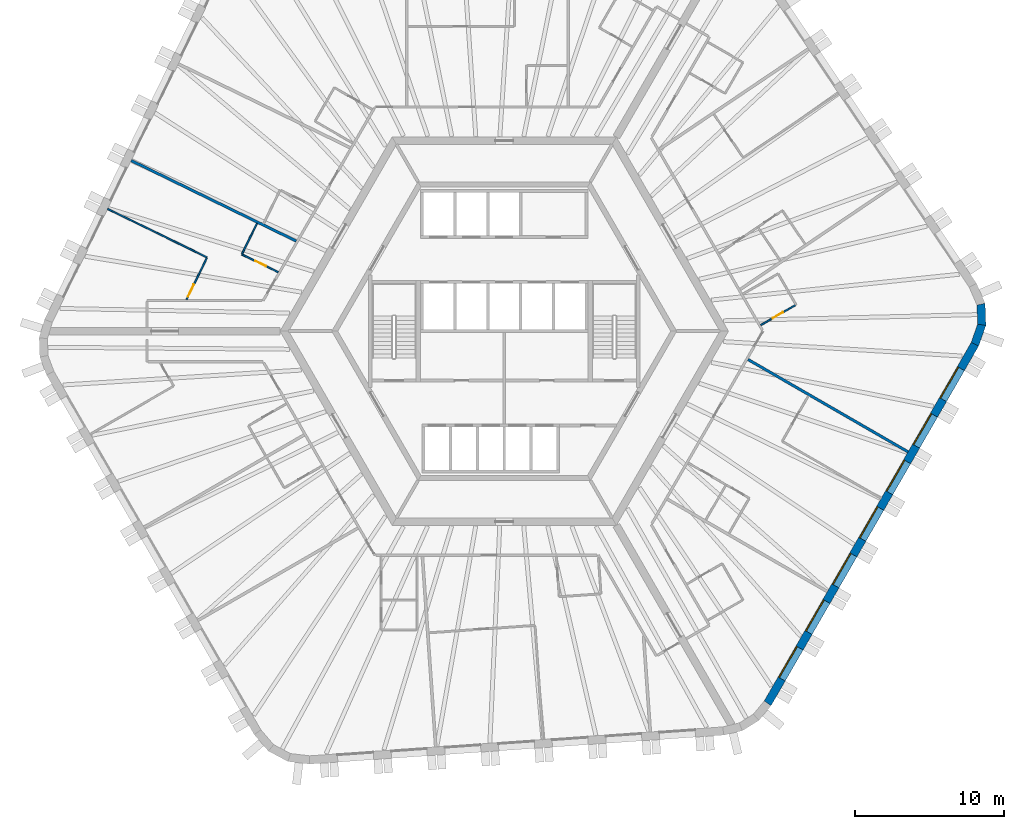
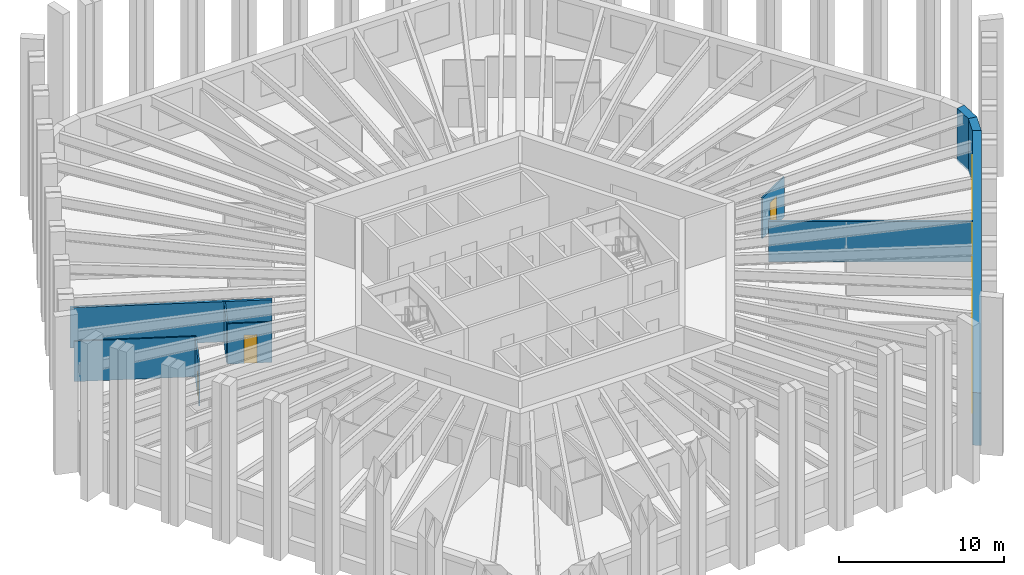
# One storey, part 6 of 11: 10 walls, 7 windows, 3 doors, 10 openings.
"""IFC4 building model written with IfcOpenShell, lengths in metres."""

import ifcopenshell
import ifcopenshell.guid

model = None  # the IFC model being written
_history = None  # IfcOwnerHistory: only IFC2X3 demands one
_inside = {}  # id of a spatial element -> (the spatial element, [elements in it])
_under = {}  # id of a project, library or spatial element -> (it, [spatial elements below it])
_declared = {}  # id of a project -> (the project, [libraries it declares])
_typed = {}  # id of a type object -> (the type object, [elements of that type])
_made_of = {}  # id of a material, layer set ... -> (it, [elements and type objects made of it])


def new_model(schema):
    """Start an empty IFC model of exactly this schema.

    Asked for "IFC4X3", IfcOpenShell would pick the latest addendum, in which some entities
    have other attributes; the version numbers below select the first issue.
    IFC2X3 requires an IfcOwnerHistory on every rooted entity: one is made here for all.
    """
    global model, _history
    if schema == "IFC4X3":
        model = ifcopenshell.file(schema_version=(4, 3, 0, 0))
    else:
        model = ifcopenshell.file(schema=schema)
    _inside.clear()
    _under.clear()
    _declared.clear()
    _typed.clear()
    _made_of.clear()
    _history = None
    if model.schema == "IFC2X3":
        org = make("IfcOrganization", Name="unknown")
        user = make(
            "IfcPersonAndOrganization",
            ThePerson=make("IfcPerson", FamilyName="unknown"),
            TheOrganization=org,
        )
        app = make(
            "IfcApplication",
            ApplicationDeveloper=org,
            Version="unknown",
            ApplicationFullName="unknown",
            ApplicationIdentifier="unknown",
        )
        _history = make(
            "IfcOwnerHistory",
            OwningUser=user,
            OwningApplication=app,
            ChangeAction="ADDED",
            CreationDate=0,
        )
    return model


def make(cls, **values):
    """One entity of the class cls with the attributes given. An attribute that is None is left unset."""
    return model.create_entity(
        cls, **{name: value for name, value in values.items() if value is not None}
    )


def rooted(cls, **values):
    """An entity with a GlobalId (a new one), such as an element, a storey or a relation."""
    return make(cls, GlobalId=ifcopenshell.guid.new(), OwnerHistory=_history, **values)


def si_unit(unit_type, name, prefix=None):
    """IfcSIUnit, for example si_unit("LENGTHUNIT", "METRE", prefix="MILLI")."""
    return make("IfcSIUnit", UnitType=unit_type, Prefix=prefix, Name=name)


def assignment(units):
    """IfcUnitAssignment: the units of a project."""
    return None if units is None else make("IfcUnitAssignment", Units=units)


def point(xyz):
    """IfcCartesianPoint."""
    return None if xyz is None else make("IfcCartesianPoint", Coordinates=xyz)


def direction(xyz):
    """IfcDirection."""
    return None if xyz is None else make("IfcDirection", DirectionRatios=xyz)


def frame(location, z_axis=None, x_axis=None):
    """IfcAxis2Placement3D, a coordinate frame: its origin and axes. An axis left out is left unset."""
    return make(
        "IfcAxis2Placement3D",
        Location=point(location),
        Axis=direction(z_axis),
        RefDirection=direction(x_axis),
    )


def frame_2d(location, x_axis=None):
    """IfcAxis2Placement2D, a coordinate frame in the plane: its origin and x axis."""
    return make(
        "IfcAxis2Placement2D", Location=point(location), RefDirection=direction(x_axis)
    )


def origin():
    """The frame at (0, 0, 0) with its axes left unset."""
    return frame((0.0, 0.0, 0.0))


def place(relative_to, where):
    """IfcLocalPlacement: puts the frame where relative to a parent placement (None: the world)."""
    return make(
        "IfcLocalPlacement", PlacementRelTo=relative_to, RelativePlacement=where
    )


def context(
    kind, dimensions, precision=None, world=None, true_north=None, identifier=None
):
    """IfcGeometricRepresentationContext, for example the 3D "Model" context."""
    return make(
        "IfcGeometricRepresentationContext",
        ContextIdentifier=identifier,
        ContextType=kind,
        CoordinateSpaceDimension=dimensions,
        Precision=precision,
        WorldCoordinateSystem=world,
        TrueNorth=true_north,
    )


def subcontext(parent, identifier, kind, view, scale=None):
    """IfcGeometricRepresentationSubContext, for example "Body" below "Model"."""
    return make(
        "IfcGeometricRepresentationSubContext",
        ContextIdentifier=identifier,
        ContextType=kind,
        ParentContext=parent,
        TargetScale=scale,
        TargetView=view,
    )


def project(units=None, contexts=None):
    """IfcProject with its units and contexts."""
    return rooted(
        "IfcProject",
        Name="project",
        RepresentationContexts=contexts,
        UnitsInContext=assignment(units),
    )


def spatial(cls, under=None, at=None, **own):
    """A site, building, storey or space (cls), placed at a placement, below another one or the project."""
    s = rooted(cls, ObjectPlacement=at, **own)
    if under is not None:
        _under.setdefault(under.id(), (under, []))[1].append(s)
    return s


def polyline(points):
    """IfcPolyline through the points."""
    return make("IfcPolyline", Points=[point(p) for p in points])


def profile(cls, at=None, kind="AREA", **sizes):
    """A parametric profile (cls). Its sizes go by their IFC names, for example OverallWidth=200.0."""
    return make(cls, ProfileType=kind, Position=at, **sizes)


def rectangle(**sizes):
    """IfcRectangleProfileDef."""
    return profile("IfcRectangleProfileDef", **sizes)


def outline(outer, holes=None, kind="AREA"):
    """IfcArbitraryClosedProfileDef: a profile drawn as a closed curve; with holes, ...WithVoids."""
    if holes is None:
        return make("IfcArbitraryClosedProfileDef", ProfileType=kind, OuterCurve=outer)
    return make(
        "IfcArbitraryProfileDefWithVoids",
        ProfileType=kind,
        OuterCurve=outer,
        InnerCurves=holes,
    )


def extrude(swept, where, along, depth):
    """IfcExtrudedAreaSolid: the profile swept, set in the frame where, extruded along a direction by depth."""
    return make(
        "IfcExtrudedAreaSolid",
        SweptArea=swept,
        Position=where,
        ExtrudedDirection=direction(along),
        Depth=depth,
    )


def shape(context_of_items, identifier, shape_type, items):
    """IfcShapeRepresentation: the items that make up one representation, for example the "Body"."""
    return make(
        "IfcShapeRepresentation",
        ContextOfItems=context_of_items,
        RepresentationIdentifier=identifier,
        RepresentationType=shape_type,
        Items=items,
    )


def material(Name=None, Category=None):
    """IfcMaterial."""
    return make("IfcMaterial", Name=Name, Category=Category)


def layer(
    of_material, thickness, ventilated=None, Name=None, Category=None, Priority=None
):
    """IfcMaterialLayer: one layer of a wall or slab, of a material (None: an air gap)."""
    return make(
        "IfcMaterialLayer",
        Material=of_material,
        LayerThickness=thickness,
        IsVentilated=ventilated,
        Name=Name,
        Category=Category,
        Priority=Priority,
    )


def layer_set(layers, Name=None):
    """IfcMaterialLayerSet."""
    return make("IfcMaterialLayerSet", MaterialLayers=layers, LayerSetName=Name)


def made_of(thing, what):
    """Note that an element or type object is made of a material, layer set ...; save() writes the relation."""
    if what is not None:
        _made_of.setdefault(what.id(), (what, []))[1].append(thing)
    return thing


def type_object(cls, material=None, **own):
    """A type object (cls), such as IfcWallType, which elements share."""
    return made_of(rooted(cls, **own), material)


def element(
    cls,
    number,
    at=None,
    inside=None,
    cuts=None,
    type_object=None,
    material=None,
    context=None,
    identifier="Body",
    shape_type=None,
    held_by="IfcProductDefinitionShape",
    body=None,
    shapes=None,
    **own,
):
    """One element of the class cls, such as IfcWall. Its Tag is "e" and its number.

    at: its placement. inside: the storey or other place that contains it. cuts: it is an
    opening in that element (IfcRelVoidsElement). A single representation is given by context,
    identifier, shape_type and body (its items); several are given by shapes. held_by: the class
    of the entity that holds the representations. save() writes the other relations.
    """
    e = rooted(cls, Tag="e%d" % number, ObjectPlacement=at, **own)
    if body is not None:
        shapes = [shape(context, identifier, shape_type, body)]
    if shapes is not None:
        e.Representation = make(held_by, Representations=shapes)
    if inside is not None:
        _inside.setdefault(inside.id(), (inside, []))[1].append(e)
    if cuts is not None:
        rooted(
            "IfcRelVoidsElement", RelatingBuildingElement=cuts, RelatedOpeningElement=e
        )
    if type_object is not None:
        _typed.setdefault(type_object.id(), (type_object, []))[1].append(e)
    return made_of(e, material)


def fill(opening, filler):
    """IfcRelFillsElement: the door or window that sits in an opening."""
    return rooted(
        "IfcRelFillsElement",
        RelatingOpeningElement=opening,
        RelatedBuildingElement=filler,
    )


def aggregate(whole, parts):
    """IfcRelAggregates: a whole, such as a stair, and the parts it consists of."""
    return rooted("IfcRelAggregates", RelatingObject=whole, RelatedObjects=parts)


def save(model, path):
    """Write the relations noted so far, then the file.

    IfcRelAggregates (storeys below a building ...), IfcRelContainedInSpatialStructure (elements
    in a storey), IfcRelDefinesByType, IfcRelAssociatesMaterial and IfcRelDeclares: one each for
    every whole, place, type object, material and project.
    """
    for whole, parts in _under.values():
        aggregate(whole, parts)
    for where, things in _inside.values():
        rooted(
            "IfcRelContainedInSpatialStructure",
            RelatedElements=things,
            RelatingStructure=where,
        )
    for kind, things in _typed.values():
        rooted("IfcRelDefinesByType", RelatedObjects=things, RelatingType=kind)
    for what, things in _made_of.values():
        rooted("IfcRelAssociatesMaterial", RelatedObjects=things, RelatingMaterial=what)
    for by, libraries in _declared.values():
        rooted("IfcRelDeclares", RelatingContext=by, RelatedDefinitions=libraries)
    model.write(path)


model = new_model("IFC4")

# Units and contexts
model_context = context("Model", 3, precision=1e-05, world=origin(), true_north=direction((0.0, 1.0)))
body_context = subcontext(model_context, "Body", "Model", "MODEL_VIEW")
ifc_project = project(units=[si_unit("LENGTHUNIT", "METRE"), si_unit("AREAUNIT", "SQUARE_METRE"), si_unit("VOLUMEUNIT", "CUBIC_METRE"), si_unit("PLANEANGLEUNIT", "RADIAN"), si_unit("MASSUNIT", "GRAM", prefix="KILO")], contexts=[model_context])

# Site, building, storey
site_placement = place(None, origin())
site = spatial("IfcSite", under=ifc_project, at=site_placement, CompositionType="ELEMENT")
building_placement = place(site_placement, origin())
building = spatial("IfcBuilding", under=site, at=building_placement, Name="Tarnside Tower", CompositionType="ELEMENT")
storey_placement = place(building_placement, frame((0.0, 0.0, 183.89990234375)))
storey = spatial("IfcBuildingStorey", under=building, at=storey_placement, Name="L43", CompositionType="ELEMENT", Elevation=183.89990234375)

# Wall, opening, door
ifc_material_1 = material(Name="Gypsum board partition on steel studs", Category="steel")
ifc_layer_1 = layer(ifc_material_1, 0.10009765625)
ifc_layer_set_1 = layer_set([ifc_layer_1], Name="Bathroom wall 100")
wall_type_1 = type_object("IfcWallType", Name="Bathroom wall 100", PredefinedType="PARTITIONING", material=ifc_layer_set_1)
wall_1_placement = place(storey_placement, frame((-15.127197265625, 3.948974609375, 0.0), z_axis=(0.0, 0.0, 1.0), x_axis=(-0.898788314205, 0.438382899128, 0.0)))
wall_1 = element("IfcWall", 1, at=wall_1_placement, inside=storey, type_object=wall_type_1, Name="Bathroom wall 14073", PredefinedType="PARTITIONING", context=body_context, shape_type="SweptSolid", body=[
    extrude(rectangle(XDim=2.716064453125, YDim=0.10009765625, at=frame_2d((1.35791015625, 0.0))), origin(), (0.0, 0.0, 1.0), 2.98779296875),
])
opening_1_placement = place(wall_1_placement, frame((0.916015625, 0.0, 0.0)))
opening_1 = element("IfcOpeningElement", 2, at=opening_1_placement, cuts=wall_1, Name="Opening D-B1", PredefinedType="OPENING", context=body_context, shape_type="SweptSolid", body=[
    extrude(rectangle(XDim=0.800048828125, YDim=2.10009765625, at=frame_2d((0.39990234375, 1.050048828125))), frame((0.0, 0.06005859375, 0.0), z_axis=(0.0, -1.0, 0.0), x_axis=(1.0, 0.0, 0.0)), (0.0, 0.0, 1.0), 0.1201171875),
])
ifc_material_2 = material(Name="Timber door leaf", Category="wood")
door_type_1 = type_object("IfcDoorType", Name="Bathroom door 800", OperationType="NOTDEFINED", PredefinedType="DOOR", material=ifc_material_2)
door_1_placement = place(opening_1_placement, origin())
door_1 = element("IfcDoor", 3, at=door_1_placement, inside=storey, type_object=door_type_1, Name="Bathroom door 14011", OperationType="SINGLE_SWING_RIGHT", OverallHeight=2.10009765625, OverallWidth=0.800048828125, PredefinedType="DOOR", context=body_context, shape_type="SweptSolid", body=[
    extrude(rectangle(XDim=0.800048828125, YDim=2.10009765625, at=frame_2d((0.39990234375, 1.050048828125))), frame((0.0, 0.02490234375, 0.0), z_axis=(0.0, -1.0, 0.0), x_axis=(1.0, 0.0, 0.0)), (0.0, 0.0, 1.0), 0.050048828125),
])
fill(opening_1, door_1)

# Wall
wall_2_placement = place(storey_placement, frame((-17.54638671875, 5.1845703125, 0.0), z_axis=(0.0, 0.0, 1.0), x_axis=(0.438376807268, 0.898791285477, 0.0)))
element("IfcWall", 4, at=wall_2_placement, inside=storey, type_object=wall_type_1, Name="Bathroom wall 14074", PredefinedType="PARTITIONING", context=body_context, shape_type="SweptSolid", body=[
    extrude(rectangle(XDim=2.260009765625, YDim=0.10009765625, at=frame_2d((1.1298828125, 0.0))), origin(), (0.0, 0.0, 1.0), 2.98779296875),
])

# Wall, opening, door
wall_3_placement = place(storey_placement, frame((19.489501953125, 1.743408203125, 0.0), z_axis=(0.0, 0.0, 1.0), x_axis=(-0.866004723184, -0.50003581814, 0.0)))
wall_3 = element("IfcWall", 5, at=wall_3_placement, inside=storey, type_object=wall_type_1, Name="Bathroom wall 14116", PredefinedType="PARTITIONING", context=body_context, shape_type="SweptSolid", body=[
    extrude(rectangle(XDim=2.675048828125, YDim=0.10009765625, at=frame_2d((1.33740234375, 0.0))), origin(), (0.0, 0.0, 1.0), 2.98779296875),
])
opening_2_placement = place(wall_3_placement, frame((0.949951171875, 0.0, 0.0)))
opening_2 = element("IfcOpeningElement", 6, at=opening_2_placement, cuts=wall_3, Name="Opening D-B1", PredefinedType="OPENING", context=body_context, shape_type="SweptSolid", body=[
    extrude(rectangle(XDim=0.800048828125, YDim=2.10009765625, at=frame_2d((0.39990234375, 1.050048828125))), frame((0.0, 0.06005859375, 0.0), z_axis=(0.0, -1.0, 0.0), x_axis=(1.0, 0.0, 0.0)), (0.0, 0.0, 1.0), 0.1201171875),
])
door_2_placement = place(opening_2_placement, origin())
door_2 = element("IfcDoor", 7, at=door_2_placement, inside=storey, type_object=door_type_1, Name="Bathroom door 14032", OperationType="SINGLE_SWING_RIGHT", OverallHeight=2.10009765625, OverallWidth=0.800048828125, PredefinedType="DOOR", context=body_context, shape_type="SweptSolid", body=[
    extrude(rectangle(XDim=0.800048828125, YDim=2.10009765625, at=frame_2d((0.39990234375, 1.050048828125))), frame((0.0, 0.02490234375, 0.0), z_axis=(0.0, -1.0, 0.0), x_axis=(1.0, 0.0, 0.0)), (0.0, 0.0, 1.0), 0.050048828125),
])
fill(opening_2, door_2)

# Walls
ifc_layer_2 = layer(ifc_material_1, 0.179931640625)
ifc_layer_set_2 = layer_set([ifc_layer_2], Name="Demising wall 180 EI 60")
wall_type_2 = type_object("IfcWallType", Name="Demising wall 180 EI 60", PredefinedType="PARTITIONING", material=ifc_layer_set_2)
wall_4_placement = place(storey_placement, frame((-24.970947265625, 11.420166015625, 0.0), z_axis=(0.0, 0.0, 1.0), x_axis=(0.898797462081, -0.438364143329, 0.0)))
element("IfcWall", 8, at=wall_4_placement, inside=storey, type_object=wall_type_2, Name="Demising wall 14070", PredefinedType="PARTITIONING", context=body_context, shape_type="SweptSolid", body=[
    extrude(rectangle(XDim=12.29052734375, YDim=0.179931640625, at=frame_2d((6.145263671875, 0.0))), origin(), (0.0, 0.0, 1.0), 2.98779296875),
])
wall_5_placement = place(storey_placement, frame((27.03125, -8.080322265625, 0.0), z_axis=(0.0, 0.0, 1.0), x_axis=(-0.866024931941, 0.500000817256, 0.0)))
element("IfcWall", 9, at=wall_5_placement, inside=storey, type_object=wall_type_2, Name="Demising wall 14111", PredefinedType="PARTITIONING", context=body_context, shape_type="SweptSolid", body=[
    extrude(rectangle(XDim=12.375, YDim=0.179931640625, at=frame_2d((6.1875, 0.0))), origin(), (0.0, 0.0, 1.0), 2.98779296875),
])
ifc_layer_3 = layer(ifc_material_1, 0.10009765625)
ifc_layer_set_3 = layer_set([ifc_layer_3], Name="Partition 100")
wall_type_3 = type_object("IfcWallType", Name="Partition 100", PredefinedType="PARTITIONING", material=ifc_layer_set_3)
wall_6_placement = place(storey_placement, frame((-26.549072265625, 8.1845703125, 0.0), z_axis=(0.0, 0.0, 1.0), x_axis=(0.898794104644, -0.438371027163, 0.0)))
element("IfcWall", 10, at=wall_6_placement, inside=storey, type_object=wall_type_3, Name="Partition wall 14075", PredefinedType="PARTITIONING", context=body_context, shape_type="SweptSolid", body=[
    extrude(rectangle(XDim=7.406494140625, YDim=0.10009765625, at=frame_2d((3.703125, 0.0))), origin(), (0.0, 0.0, 1.0), 2.98779296875),
])

# Wall, opening, door
wall_7_placement = place(storey_placement, frame((-19.913818359375, 4.892822265625, 0.0), z_axis=(0.0, 0.0, 1.0), x_axis=(-0.438408012527, -0.898776064741, 0.0)))
wall_7 = element("IfcWall", 11, at=wall_7_placement, inside=storey, type_object=wall_type_3, Name="Partition wall 14076", PredefinedType="PARTITIONING", context=body_context, shape_type="SweptSolid", body=[
    extrude(rectangle(XDim=3.07958984375, YDim=0.10009765625, at=frame_2d((1.539794921875, 0.0))), origin(), (0.0, 0.0, 1.0), 2.98779296875),
])
opening_3_placement = place(wall_7_placement, frame((1.9794921875, 0.0, 0.0)))
opening_3 = element("IfcOpeningElement", 12, at=opening_3_placement, cuts=wall_7, Name="Opening D-I1", PredefinedType="OPENING", context=body_context, shape_type="SweptSolid", body=[
    extrude(rectangle(XDim=0.89990234375, YDim=2.10009765625, at=frame_2d((0.449951171875, 1.050048828125))), frame((0.0, 0.06005859375, 0.0), z_axis=(0.0, -1.0, 0.0), x_axis=(1.0, 0.0, 0.0)), (0.0, 0.0, 1.0), 0.1201171875),
])
door_type_2 = type_object("IfcDoorType", Name="Internal door 900", OperationType="NOTDEFINED", PredefinedType="DOOR", material=ifc_material_2)
door_3_placement = place(opening_3_placement, origin())
door_3 = element("IfcDoor", 13, at=door_3_placement, inside=storey, type_object=door_type_2, Name="Internal door 14012", OperationType="SINGLE_SWING_LEFT", OverallHeight=2.10009765625, OverallWidth=0.89990234375, PredefinedType="DOOR", context=body_context, shape_type="SweptSolid", body=[
    extrude(rectangle(XDim=0.89990234375, YDim=2.10009765625, at=frame_2d((0.449951171875, 1.050048828125))), frame((0.0, 0.02490234375, 0.0), z_axis=(0.0, -1.0, 0.0), x_axis=(1.0, 0.0, 0.0)), (0.0, 0.0, 1.0), 0.050048828125),
])
fill(opening_3, door_3)

# Wall, openings, windows
ifc_material_3 = material(Name="Facing brick", Category="masonry")
ifc_layer_4 = layer(ifc_material_3, 0.10205078125)
ifc_material_4 = material(Name="Concrete C60/75 precast", Category="concrete")
ifc_layer_5 = layer(ifc_material_4, 0.347900390625)
ifc_material_5 = material(Name="Mineral wool insulation")
ifc_layer_6 = layer(ifc_material_5, 0.10009765625)
ifc_layer_set_4 = layer_set([ifc_layer_4, ifc_layer_5, ifc_layer_6], Name="Tube wall 550 brick faced")
wall_type_4 = type_object("IfcWallType", Name="Tube wall 550 brick faced", PredefinedType="SOLIDWALL", material=ifc_layer_set_4)
wall_8_placement = place(storey_placement, frame((17.630126953125, -24.913818359375, -0.14990234375), z_axis=(0.0, 0.0, 1.0), x_axis=(0.499998569178, 0.866026229868, 0.0)))
wall_8 = element("IfcWall", 14, at=wall_8_placement, inside=storey, type_object=wall_type_4, Name="Tube wall L43 F5 flush 16", PredefinedType="SOLIDWALL", context=body_context, shape_type="SweptSolid", body=[
    extrude(outline(polyline([(-0.0224609375, -0.27490234375), (27.783447265625, -0.27490234375), (27.732177734375, 0.27490234375), (0.0224609375, 0.27490234375), (-0.0224609375, -0.27490234375)])), origin(), (0.0, 0.0, 1.0), 3.89990234375),
])
opening_4_placement = place(wall_8_placement, frame((1.87890625, 0.0, 1.050048828125)))
opening_4 = element("IfcOpeningElement", 15, at=opening_4_placement, cuts=wall_8, Name="Opening WH", PredefinedType="OPENING", context=body_context, shape_type="SweptSolid", body=[
    extrude(rectangle(XDim=2.39990234375, YDim=2.39990234375, at=frame_2d((1.199951171875, 1.199951171875))), frame((0.0, 0.28515625, 0.0), z_axis=(0.0, -1.0, 0.0), x_axis=(1.0, 0.0, 0.0)), (0.0, 0.0, 1.0), 0.570068359375),
])
opening_5_placement = place(wall_8_placement, frame((5.47900390625, 0.0, 1.050048828125)))
opening_5 = element("IfcOpeningElement", 16, at=opening_5_placement, cuts=wall_8, Name="Opening WH", PredefinedType="OPENING", context=body_context, shape_type="SweptSolid", body=[
    extrude(rectangle(XDim=2.39990234375, YDim=2.39990234375, at=frame_2d((1.199951171875, 1.199951171875))), frame((0.0, 0.28515625, 0.0), z_axis=(0.0, -1.0, 0.0), x_axis=(1.0, 0.0, 0.0)), (0.0, 0.0, 1.0), 0.570068359375),
])
opening_6_placement = place(wall_8_placement, frame((9.078857421875, 0.0, 1.050048828125)))
opening_6 = element("IfcOpeningElement", 17, at=opening_6_placement, cuts=wall_8, Name="Opening WH", PredefinedType="OPENING", context=body_context, shape_type="SweptSolid", body=[
    extrude(rectangle(XDim=2.39990234375, YDim=2.39990234375, at=frame_2d((1.199951171875, 1.199951171875))), frame((0.0, 0.28515625, 0.0), z_axis=(0.0, -1.0, 0.0), x_axis=(1.0, 0.0, 0.0)), (0.0, 0.0, 1.0), 0.570068359375),
])
opening_7_placement = place(wall_8_placement, frame((12.678955078125, 0.0, 1.050048828125)))
opening_7 = element("IfcOpeningElement", 18, at=opening_7_placement, cuts=wall_8, Name="Opening WH", PredefinedType="OPENING", context=body_context, shape_type="SweptSolid", body=[
    extrude(rectangle(XDim=2.39990234375, YDim=2.39990234375, at=frame_2d((1.199951171875, 1.199951171875))), frame((0.0, 0.28515625, 0.0), z_axis=(0.0, -1.0, 0.0), x_axis=(1.0, 0.0, 0.0)), (0.0, 0.0, 1.0), 0.570068359375),
])
opening_8_placement = place(wall_8_placement, frame((16.27880859375, 0.0, 1.050048828125)))
opening_8 = element("IfcOpeningElement", 19, at=opening_8_placement, cuts=wall_8, Name="Opening WH", PredefinedType="OPENING", context=body_context, shape_type="SweptSolid", body=[
    extrude(rectangle(XDim=2.39990234375, YDim=2.39990234375, at=frame_2d((1.199951171875, 1.199951171875))), frame((0.0, 0.28515625, 0.0), z_axis=(0.0, -1.0, 0.0), x_axis=(1.0, 0.0, 0.0)), (0.0, 0.0, 1.0), 0.570068359375),
])
opening_9_placement = place(wall_8_placement, frame((19.87890625, 0.0, 1.050048828125)))
opening_9 = element("IfcOpeningElement", 20, at=opening_9_placement, cuts=wall_8, Name="Opening WH", PredefinedType="OPENING", context=body_context, shape_type="SweptSolid", body=[
    extrude(rectangle(XDim=2.39990234375, YDim=2.39990234375, at=frame_2d((1.199951171875, 1.199951171875))), frame((0.0, 0.28515625, 0.0), z_axis=(0.0, -1.0, 0.0), x_axis=(1.0, 0.0, 0.0)), (0.0, 0.0, 1.0), 0.570068359375),
])
opening_10_placement = place(wall_8_placement, frame((23.47900390625, 0.0, 1.050048828125)))
opening_10 = element("IfcOpeningElement", 21, at=opening_10_placement, cuts=wall_8, Name="Opening WH", PredefinedType="OPENING", context=body_context, shape_type="SweptSolid", body=[
    extrude(rectangle(XDim=2.39990234375, YDim=2.39990234375, at=frame_2d((1.199951171875, 1.199951171875))), frame((0.0, 0.28515625, 0.0), z_axis=(0.0, -1.0, 0.0), x_axis=(1.0, 0.0, 0.0)), (0.0, 0.0, 1.0), 0.570068359375),
])
ifc_material_6 = material(Name="Aluminium-framed double glazing", Category="aluminium")
window_type = type_object("IfcWindowType", Name="Hotel window 2400 x 2400", PartitioningType="DOUBLE_PANEL_VERTICAL", PredefinedType="WINDOW", material=ifc_material_6)
window_1_placement = place(opening_4_placement, frame((0.0, 0.205078125, 0.0)))
window_1 = element("IfcWindow", 22, at=window_1_placement, inside=storey, type_object=window_type, Name="E.WN.L43.F5.00", OverallHeight=2.39990234375, OverallWidth=2.39990234375, PartitioningType="DOUBLE_PANEL_VERTICAL", PredefinedType="WINDOW", context=body_context, shape_type="SweptSolid", body=[
    extrude(rectangle(XDim=2.39990234375, YDim=2.39990234375, at=frame_2d((1.199951171875, 1.199951171875))), frame((0.0, 0.030029296875, 0.0), z_axis=(0.0, -1.0, 0.0), x_axis=(1.0, 0.0, 0.0)), (0.0, 0.0, 1.0), 0.06005859375),
])
fill(opening_4, window_1)
window_2_placement = place(opening_5_placement, frame((0.0, 0.205078125, 0.0)))
window_2 = element("IfcWindow", 23, at=window_2_placement, inside=storey, type_object=window_type, Name="E.WN.L43.F5.01", OverallHeight=2.39990234375, OverallWidth=2.39990234375, PartitioningType="DOUBLE_PANEL_VERTICAL", PredefinedType="WINDOW", context=body_context, shape_type="SweptSolid", body=[
    extrude(rectangle(XDim=2.39990234375, YDim=2.39990234375, at=frame_2d((1.199951171875, 1.199951171875))), frame((0.0, 0.030029296875, 0.0), z_axis=(0.0, -1.0, 0.0), x_axis=(1.0, 0.0, 0.0)), (0.0, 0.0, 1.0), 0.06005859375),
])
fill(opening_5, window_2)
window_3_placement = place(opening_6_placement, frame((0.0, 0.205078125, 0.0)))
window_3 = element("IfcWindow", 24, at=window_3_placement, inside=storey, type_object=window_type, Name="E.WN.L43.F5.02", OverallHeight=2.39990234375, OverallWidth=2.39990234375, PartitioningType="DOUBLE_PANEL_VERTICAL", PredefinedType="WINDOW", context=body_context, shape_type="SweptSolid", body=[
    extrude(rectangle(XDim=2.39990234375, YDim=2.39990234375, at=frame_2d((1.199951171875, 1.199951171875))), frame((0.0, 0.030029296875, 0.0), z_axis=(0.0, -1.0, 0.0), x_axis=(1.0, 0.0, 0.0)), (0.0, 0.0, 1.0), 0.06005859375),
])
fill(opening_6, window_3)
window_4_placement = place(opening_7_placement, frame((0.0, 0.205078125, 0.0)))
window_4 = element("IfcWindow", 25, at=window_4_placement, inside=storey, type_object=window_type, Name="E.WN.L43.F5.03", OverallHeight=2.39990234375, OverallWidth=2.39990234375, PartitioningType="DOUBLE_PANEL_VERTICAL", PredefinedType="WINDOW", context=body_context, shape_type="SweptSolid", body=[
    extrude(rectangle(XDim=2.39990234375, YDim=2.39990234375, at=frame_2d((1.199951171875, 1.199951171875))), frame((0.0, 0.030029296875, 0.0), z_axis=(0.0, -1.0, 0.0), x_axis=(1.0, 0.0, 0.0)), (0.0, 0.0, 1.0), 0.06005859375),
])
fill(opening_7, window_4)
window_5_placement = place(opening_8_placement, frame((0.0, 0.205078125, 0.0)))
window_5 = element("IfcWindow", 26, at=window_5_placement, inside=storey, type_object=window_type, Name="E.WN.L43.F5.04", OverallHeight=2.39990234375, OverallWidth=2.39990234375, PartitioningType="DOUBLE_PANEL_VERTICAL", PredefinedType="WINDOW", context=body_context, shape_type="SweptSolid", body=[
    extrude(rectangle(XDim=2.39990234375, YDim=2.39990234375, at=frame_2d((1.199951171875, 1.199951171875))), frame((0.0, 0.030029296875, 0.0), z_axis=(0.0, -1.0, 0.0), x_axis=(1.0, 0.0, 0.0)), (0.0, 0.0, 1.0), 0.06005859375),
])
fill(opening_8, window_5)
window_6_placement = place(opening_9_placement, frame((0.0, 0.205078125, 0.0)))
window_6 = element("IfcWindow", 27, at=window_6_placement, inside=storey, type_object=window_type, Name="E.WN.L43.F5.05", OverallHeight=2.39990234375, OverallWidth=2.39990234375, PartitioningType="DOUBLE_PANEL_VERTICAL", PredefinedType="WINDOW", context=body_context, shape_type="SweptSolid", body=[
    extrude(rectangle(XDim=2.39990234375, YDim=2.39990234375, at=frame_2d((1.199951171875, 1.199951171875))), frame((0.0, 0.030029296875, 0.0), z_axis=(0.0, -1.0, 0.0), x_axis=(1.0, 0.0, 0.0)), (0.0, 0.0, 1.0), 0.06005859375),
])
fill(opening_9, window_6)
window_7_placement = place(opening_10_placement, frame((0.0, 0.205078125, 0.0)))
window_7 = element("IfcWindow", 28, at=window_7_placement, inside=storey, type_object=window_type, Name="E.WN.L43.F5.06", OverallHeight=2.39990234375, OverallWidth=2.39990234375, PartitioningType="DOUBLE_PANEL_VERTICAL", PredefinedType="WINDOW", context=body_context, shape_type="SweptSolid", body=[
    extrude(rectangle(XDim=2.39990234375, YDim=2.39990234375, at=frame_2d((1.199951171875, 1.199951171875))), frame((0.0, 0.030029296875, 0.0), z_axis=(0.0, -1.0, 0.0), x_axis=(1.0, 0.0, 0.0)), (0.0, 0.0, 1.0), 0.06005859375),
])
fill(opening_10, window_7)

# Walls
wall_9_placement = place(storey_placement, frame((31.509033203125, -0.874755859375, -0.14990234375), z_axis=(0.0, 0.0, 1.0), x_axis=(0.33111537203, 0.943590276765, 0.0)))
element("IfcWall", 29, at=wall_9_placement, inside=storey, type_object=wall_type_4, Name="Tube wall L43 F5 chord 17", PredefinedType="SOLIDWALL", context=body_context, shape_type="SweptSolid", body=[
    extrude(outline(polyline([(-0.025634765625, -0.27490234375), (1.4306640625, -0.27490234375), (1.3271484375, 0.27490234375), (0.025634765625, 0.27490234375), (-0.025634765625, -0.27490234375)])), origin(), (0.0, 0.0, 1.0), 3.89990234375),
])
wall_10_placement = place(storey_placement, frame((31.965576171875, 0.42626953125, -0.14990234375), z_axis=(0.0, 0.0, 1.0), x_axis=(-0.034876908462, 0.999391615562, 0.0)))
element("IfcWall", 30, at=wall_10_placement, inside=storey, type_object=wall_type_4, Name="Tube wall L43 F5 chord 18", PredefinedType="SOLIDWALL", context=body_context, shape_type="SweptSolid", body=[
    extrude(outline(polyline([(-0.0517578125, -0.27490234375), (1.4306640625, -0.27490234375), (1.3271484375, 0.27490234375), (0.0517578125, 0.27490234375), (-0.0517578125, -0.27490234375)])), origin(), (0.0, 0.0, 1.0), 3.89990234375),
])

save(model, "model.ifc")
